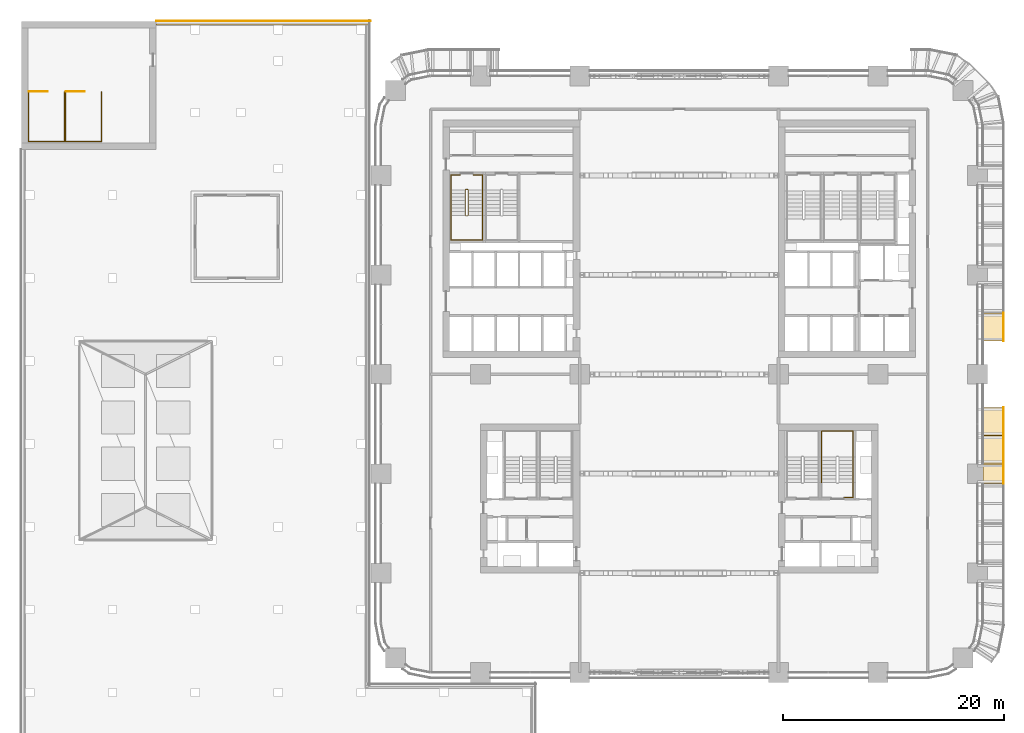
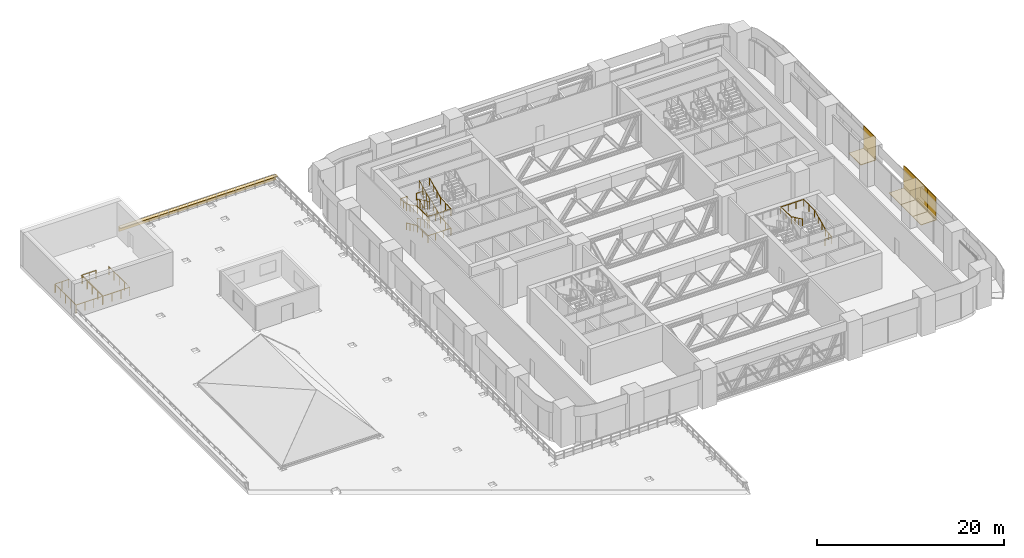
# One storey, part 32 of 35: 10 coverings, 8 railings.
"""IFC4 building model written with IfcOpenShell, lengths in metres."""

from ifc_helpers import new_model, si_unit, direction, frame, origin, origin_2d, place, context, subcontext, project, spatial, polyline, rectangle, circle, outline, extrude, material, layer, layer_set, type_object, element, save


model = new_model("IFC4")

# Units and contexts
model_context = context("Model", 3, precision=1e-05, world=origin(), true_north=direction((0.0, 1.0)))
body_context = subcontext(model_context, "Body", "Model", "MODEL_VIEW")
ifc_project = project(units=[si_unit("LENGTHUNIT", "METRE"), si_unit("AREAUNIT", "SQUARE_METRE"), si_unit("VOLUMEUNIT", "CUBIC_METRE"), si_unit("PLANEANGLEUNIT", "RADIAN"), si_unit("MASSUNIT", "GRAM", prefix="KILO")], contexts=[model_context])

# Site, building, storey
site_placement = place(None, origin())
site = spatial("IfcSite", under=ifc_project, at=site_placement, CompositionType="ELEMENT")
building_placement = place(site_placement, origin())
building = spatial("IfcBuilding", under=site, at=building_placement, Name="Tessera Arch", CompositionType="ELEMENT")
storey_placement = place(building_placement, frame((0.0, 0.0, 26.0)))
storey = spatial("IfcBuildingStorey", under=building, at=storey_placement, Name="L04", CompositionType="ELEMENT", Elevation=26.0)

# Coverings
ifc_material_1 = material(Name="Anodised aluminium pale metal", Category="aluminium")
ifc_layer_1 = layer(ifc_material_1, 0.06005859375)
ifc_layer_set_1 = layer_set([ifc_layer_1], Name="Museum coping pale metal")
covering_type_1 = type_object("IfcCoveringType", Name="Museum coping pale metal", PredefinedType="CLADDING", material=ifc_layer_set_1)
covering_1_placement = place(storey_placement, frame((-10.64501953125, 58.840087890625, 0.599853515625), z_axis=(0.0, 0.0, 1.0), x_axis=(-1.0, 0.0, 0.0)))
element("IfcCovering", 1, at=covering_1_placement, inside=storey, type_object=covering_type_1, Name="Museum parapet coping", PredefinedType="CLADDING", context=body_context, shape_type="SweptSolid", body=[
    extrude(rectangle(XDim=19.409912109375, YDim=0.4599609375, at=origin_2d()), origin(), (0.0, 0.0, 1.0), 0.06005859375),
])
ifc_material_2 = material(Name="Anodised aluminium pale metal", Category="aluminium")
ifc_layer_2 = layer(ifc_material_2, 0.0400390625)
ifc_layer_set_2 = layer_set([ifc_layer_2], Name="Museum parapet fascia pale metal")
covering_type_2 = type_object("IfcCoveringType", Name="Museum parapet fascia pale metal", PredefinedType="CLADDING", material=ifc_layer_set_2)
covering_2_placement = place(storey_placement, frame((-10.64501953125, 58.969970703125, 0.0), z_axis=(0.0, 0.0, 1.0), x_axis=(-1.0, 0.0, 0.0)))
element("IfcCovering", 2, at=covering_2_placement, inside=storey, type_object=covering_type_2, Name="Museum parapet fascia", PredefinedType="CLADDING", context=body_context, shape_type="SweptSolid", body=[
    extrude(rectangle(XDim=19.409912109375, YDim=0.0400390625, at=origin_2d()), origin(), (0.0, 0.0, 1.0), 0.60009765625),
])

# Railings
ifc_material_3 = material(Name="Stainless steel and clear glass", Category="steel")
railing_type_1 = type_object("IfcRailingType", Name="Museum roof guard 1100", PredefinedType="GUARDRAIL", material=ifc_material_3)
railing_1_placement = place(storey_placement, frame((-31.919921875, 52.550048828125, 0.0)))
element("IfcRailing", 3, at=railing_1_placement, inside=storey, type_object=railing_type_1, Name="Stair M1a well guard", PredefinedType="GUARDRAIL", context=body_context, shape_type="SweptSolid", body=[
    extrude(circle(Radius=0.02490234375, at=origin_2d()), frame((0.0, 0.00390625, 1.0751953125), z_axis=(0.0, -1.0, 0.0), x_axis=(1.0, 0.0, 0.0)), (0.0, 0.0, 1.0), 4.47802734375),
    extrude(circle(Radius=0.02490234375, at=origin_2d()), frame((-0.00390625, -4.469970703125, 1.0751953125), z_axis=(1.0, 0.0, 0.0), x_axis=(0.0, 1.0, 0.0)), (0.0, 0.0, 1.0), 3.298095703125),
    extrude(circle(Radius=0.02490234375, at=origin_2d()), frame((3.2900390625, -4.473876953125, 1.0751953125), z_axis=(0.0, 1.0, 0.0), x_axis=(-1.0, 0.0, 0.0)), (0.0, 0.0, 1.0), 4.47802734375),
    extrude(circle(Radius=0.02001953125, at=origin_2d()), origin(), (0.0, 0.0, 1.0), 1.06201171875),
    extrude(circle(Radius=0.02001953125, at=origin_2d()), frame((0.0, -1.117431640625, 0.0)), (0.0, 0.0, 1.0), 1.06201171875),
    extrude(circle(Radius=0.02001953125, at=origin_2d()), frame((0.0, -2.23486328125, 0.0)), (0.0, 0.0, 1.0), 1.06201171875),
    extrude(circle(Radius=0.02001953125, at=origin_2d()), frame((0.0, -3.3525390625, 0.0)), (0.0, 0.0, 1.0), 1.06201171875),
    extrude(circle(Radius=0.02001953125, at=origin_2d()), frame((0.0, -4.469970703125, 0.0)), (0.0, 0.0, 1.0), 1.06201171875),
    extrude(circle(Radius=0.02001953125, at=origin_2d()), frame((1.0966796875, -4.469970703125, 0.0)), (0.0, 0.0, 1.0), 1.06201171875),
    extrude(circle(Radius=0.02001953125, at=origin_2d()), frame((2.193359375, -4.469970703125, 0.0)), (0.0, 0.0, 1.0), 1.06201171875),
    extrude(circle(Radius=0.02001953125, at=origin_2d()), frame((3.2900390625, -4.469970703125, 0.0)), (0.0, 0.0, 1.0), 1.06201171875),
    extrude(circle(Radius=0.02001953125, at=origin_2d()), frame((3.2900390625, -3.3525390625, 0.0)), (0.0, 0.0, 1.0), 1.06201171875),
    extrude(circle(Radius=0.02001953125, at=origin_2d()), frame((3.2900390625, -2.23486328125, 0.0)), (0.0, 0.0, 1.0), 1.06201171875),
    extrude(circle(Radius=0.02001953125, at=origin_2d()), frame((3.2900390625, -1.117431640625, 0.0)), (0.0, 0.0, 1.0), 1.06201171875),
    extrude(circle(Radius=0.02001953125, at=origin_2d()), frame((3.2900390625, 0.0, 0.0)), (0.0, 0.0, 1.0), 1.06201171875),
])
railing_2_placement = place(storey_placement, frame((-28.570068359375, 52.550048828125, 0.0)))
element("IfcRailing", 4, at=railing_2_placement, inside=storey, type_object=railing_type_1, Name="Stair M1b well guard", PredefinedType="GUARDRAIL", context=body_context, shape_type="SweptSolid", body=[
    extrude(circle(Radius=0.02490234375, at=origin_2d()), frame((0.0, 0.00390625, 1.0751953125), z_axis=(0.0, -1.0, 0.0), x_axis=(1.0, 0.0, 0.0)), (0.0, 0.0, 1.0), 4.47802734375),
    extrude(circle(Radius=0.02490234375, at=origin_2d()), frame((-0.00390625, -4.469970703125, 1.0751953125), z_axis=(1.0, 0.0, 0.0), x_axis=(0.0, 1.0, 0.0)), (0.0, 0.0, 1.0), 3.298095703125),
    extrude(circle(Radius=0.02490234375, at=origin_2d()), frame((3.2900390625, -4.473876953125, 1.0751953125), z_axis=(0.0, 1.0, 0.0), x_axis=(-1.0, 0.0, 0.0)), (0.0, 0.0, 1.0), 4.47802734375),
    extrude(circle(Radius=0.02001953125, at=origin_2d()), origin(), (0.0, 0.0, 1.0), 1.06201171875),
    extrude(circle(Radius=0.02001953125, at=origin_2d()), frame((0.0, -1.117431640625, 0.0)), (0.0, 0.0, 1.0), 1.06201171875),
    extrude(circle(Radius=0.02001953125, at=origin_2d()), frame((0.0, -2.23486328125, 0.0)), (0.0, 0.0, 1.0), 1.06201171875),
    extrude(circle(Radius=0.02001953125, at=origin_2d()), frame((0.0, -3.3525390625, 0.0)), (0.0, 0.0, 1.0), 1.06201171875),
    extrude(circle(Radius=0.02001953125, at=origin_2d()), frame((0.0, -4.469970703125, 0.0)), (0.0, 0.0, 1.0), 1.06201171875),
    extrude(circle(Radius=0.02001953125, at=origin_2d()), frame((1.0966796875, -4.469970703125, 0.0)), (0.0, 0.0, 1.0), 1.06201171875),
    extrude(circle(Radius=0.02001953125, at=origin_2d()), frame((2.193359375, -4.469970703125, 0.0)), (0.0, 0.0, 1.0), 1.06201171875),
    extrude(circle(Radius=0.02001953125, at=origin_2d()), frame((3.2900390625, -4.469970703125, 0.0)), (0.0, 0.0, 1.0), 1.06201171875),
    extrude(circle(Radius=0.02001953125, at=origin_2d()), frame((3.2900390625, -3.3525390625, 0.0)), (0.0, 0.0, 1.0), 1.06201171875),
    extrude(circle(Radius=0.02001953125, at=origin_2d()), frame((3.2900390625, -2.23486328125, 0.0)), (0.0, 0.0, 1.0), 1.06201171875),
    extrude(circle(Radius=0.02001953125, at=origin_2d()), frame((3.2900390625, -1.117431640625, 0.0)), (0.0, 0.0, 1.0), 1.06201171875),
    extrude(circle(Radius=0.02001953125, at=origin_2d()), frame((3.2900390625, 0.0, 0.0)), (0.0, 0.0, 1.0), 1.06201171875),
])

# Coverings
ifc_material_4 = material(Name="Anodised aluminium pale metal", Category="aluminium")
ifc_layer_3 = layer(ifc_material_4, 0.080078125)
ifc_layer_set_3 = layer_set([ifc_layer_3], Name="Podium cornice fascia pale metal")
covering_type_3 = type_object("IfcCoveringType", Name="Podium cornice fascia pale metal", PredefinedType="CLADDING", material=ifc_layer_set_3)
covering_3_placement = place(storey_placement, frame((56.360107421875, 18.0, 0.0), z_axis=(0.0, 0.0, 1.0), x_axis=(0.0, 1.0, 0.0)))
element("IfcCovering", 5, at=covering_3_placement, inside=storey, type_object=covering_type_3, Name="Podium cornice fascia 7", PredefinedType="CLADDING", context=body_context, shape_type="SweptSolid", body=[
    extrude(rectangle(XDim=1.800048828125, YDim=0.080078125, at=origin_2d()), origin(), (0.0, 0.0, 1.0), 3.0),
])
for number, where, z_axis, x_axis, name in (
    (6, (56.360107421875, 20.175048828125, 0.0), (0.0, 0.0, 1.0), (0.0, 1.0, 0.0), "Podium cornice fascia 8"),
    (7, (56.360107421875, 22.72509765625, 0.0), (0.0, 0.0, 1.0), (0.0, 1.0, 0.0), "Podium cornice fascia 9"),
    (8, (56.360107421875, 31.27490234375, 0.0), (0.0, 0.0, 1.0), (0.0, 1.0, 0.0), "Podium cornice fascia 10"),
):
    element("IfcCovering", number, at=place(storey_placement, frame(where, z_axis=z_axis, x_axis=x_axis)), inside=storey, type_object=covering_type_3, Name=name, PredefinedType="CLADDING", context=body_context, shape_type="SweptSolid", body=[
        extrude(rectangle(XDim=2.550048828125, YDim=0.080078125, at=origin_2d()), origin(), (0.0, 0.0, 1.0), 3.0),
    ])
ifc_material_5 = material(Name="Anodised aluminium pale metal", Category="aluminium")
ifc_layer_4 = layer(ifc_material_5, 0.080078125)
ifc_layer_set_4 = layer_set([ifc_layer_4], Name="Podium cornice soffit pale metal")
covering_type_4 = type_object("IfcCoveringType", Name="Podium cornice soffit pale metal", PredefinedType="CLADDING", material=ifc_layer_set_4)
covering_4_placement = place(storey_placement, origin())
element("IfcCovering", 9, at=covering_4_placement, inside=storey, type_object=covering_type_4, Name="Podium cornice soffit 7", PredefinedType="CLADDING", context=body_context, shape_type="SweptSolid", body=[
    extrude(outline(polyline([(56.320068359375, 17.10009765625), (56.320068359375, 18.89990234375), (54.510009765625, 18.89990234375), (54.510009765625, 17.10009765625), (56.320068359375, 17.10009765625)])), origin(), (0.0, 0.0, 1.0), 0.080078125),
])
covering_5_placement = place(storey_placement, origin())
element("IfcCovering", 10, at=covering_5_placement, inside=storey, type_object=covering_type_4, Name="Podium cornice soffit 8", PredefinedType="CLADDING", context=body_context, shape_type="SweptSolid", body=[
    extrude(outline(polyline([(56.320068359375, 18.89990234375), (56.320068359375, 21.449951171875), (54.510009765625, 21.449951171875), (54.510009765625, 18.89990234375), (56.320068359375, 18.89990234375)])), origin(), (0.0, 0.0, 1.0), 0.080078125),
])
covering_6_placement = place(storey_placement, origin())
element("IfcCovering", 11, at=covering_6_placement, inside=storey, type_object=covering_type_4, Name="Podium cornice soffit 9", PredefinedType="CLADDING", context=body_context, shape_type="SweptSolid", body=[
    extrude(outline(polyline([(56.320068359375, 21.449951171875), (56.320068359375, 24.0), (54.510009765625, 24.0), (54.510009765625, 21.449951171875), (56.320068359375, 21.449951171875)])), origin(), (0.0, 0.0, 1.0), 0.080078125),
])
covering_7_placement = place(storey_placement, origin())
element("IfcCovering", 12, at=covering_7_placement, inside=storey, type_object=covering_type_4, Name="Podium cornice soffit 10", PredefinedType="CLADDING", context=body_context, shape_type="SweptSolid", body=[
    extrude(outline(polyline([(56.320068359375, 30.0), (56.320068359375, 32.550048828125), (54.510009765625, 32.550048828125), (54.510009765625, 30.0), (56.320068359375, 30.0)])), origin(), (0.0, 0.0, 1.0), 0.080078125),
])

# Railings
ifc_material_6 = material(Name="Painted steel balustrade", Category="steel")
railing_type_2 = type_object("IfcRailingType", Name="Stair guard 1100", PredefinedType="GUARDRAIL", material=ifc_material_6)
railing_3_placement = place(storey_placement, frame((-31.85009765625, 52.60009765625, 0.0)))
element("IfcRailing", 13, at=railing_3_placement, inside=storey, type_object=railing_type_2, Name="L04 M1a top well guard 1", PredefinedType="GUARDRAIL", context=body_context, shape_type="SweptSolid", body=[
    extrude(circle(Radius=0.02392578125, at=origin_2d()), frame((-0.00390625, 0.0, 1.076171875), z_axis=(1.0, 0.0, 0.0), x_axis=(0.0, 1.0, 0.0)), (0.0, 0.0, 1.0), 1.658203125),
    extrude(circle(Radius=0.02099609375, at=origin_2d()), origin(), (0.0, 0.0, 1.0), 1.06396484375),
    extrude(circle(Radius=0.02099609375, at=origin_2d()), frame((0.8251953125, 0.0, 0.0)), (0.0, 0.0, 1.0), 1.06396484375),
    extrude(circle(Radius=0.02099609375, at=origin_2d()), frame((1.650146484375, 0.0, 0.0)), (0.0, 0.0, 1.0), 1.06396484375),
])
railing_4_placement = place(storey_placement, frame((-28.5, 52.60009765625, 0.0)))
element("IfcRailing", 14, at=railing_4_placement, inside=storey, type_object=railing_type_2, Name="L04 M1b top well guard 1", PredefinedType="GUARDRAIL", context=body_context, shape_type="SweptSolid", body=[
    extrude(circle(Radius=0.02392578125, at=origin_2d()), frame((-0.00390625, 0.0, 1.076171875), z_axis=(1.0, 0.0, 0.0), x_axis=(0.0, 1.0, 0.0)), (0.0, 0.0, 1.0), 1.657958984375),
    extrude(circle(Radius=0.02099609375, at=origin_2d()), origin(), (0.0, 0.0, 1.0), 1.06396484375),
    extrude(circle(Radius=0.02099609375, at=origin_2d()), frame((0.824951171875, 0.0, 0.0)), (0.0, 0.0, 1.0), 1.06396484375),
    extrude(circle(Radius=0.02099609375, at=origin_2d()), frame((1.64990234375, 0.0, 0.0)), (0.0, 0.0, 1.0), 1.06396484375),
])
railing_5_placement = place(storey_placement, frame((7.699951171875, 43.75, 0.0)))
element("IfcRailing", 15, at=railing_5_placement, inside=storey, type_object=railing_type_2, Name="L04 S2a stair guard 1", PredefinedType="GUARDRAIL", context=body_context, shape_type="SweptSolid", body=[
    extrude(circle(Radius=0.02392578125, at=origin_2d()), frame((-0.00390625, 0.0, 1.076171875), z_axis=(1.0, 0.0, 0.0), x_axis=(0.0, 1.0, 0.0)), (0.0, 0.0, 1.0), 0.158203125),
    extrude(circle(Radius=0.02392578125, at=origin_2d()), frame((0.1533203125, 0.000732421875, 1.07373046875), z_axis=(-0.773438643492, -0.193359660873, 0.603659429067), x_axis=(0.242535625036, -0.970142500145, 0.0)), (0.0, 0.0, 1.0), 0.266845703125),
    extrude(circle(Radius=0.02392578125, at=origin_2d()), frame((-0.050048828125, -0.04638671875, 1.23046875), z_axis=(0.0, -0.903811734687, 0.427930307694), x_axis=(1.0, 0.0, 0.0)), (0.0, 0.0, 1.0), 2.56396484375),
    extrude(circle(Radius=0.02392578125, at=origin_2d()), frame((-0.052978515625, -2.357177734375, 2.326171875), z_axis=(0.708833529934, -0.705375805398, 0.0), x_axis=(0.705375805398, 0.708833529934, 0.0)), (0.0, 0.0, 1.0), 0.07861328125),
    extrude(circle(Radius=0.02392578125, at=origin_2d()), frame((-0.00390625, -2.409912109375, 2.326171875), z_axis=(1.0, 0.0, 0.0), x_axis=(0.0, 1.0, 0.0)), (0.0, 0.0, 1.0), 0.158203125),
    extrude(circle(Radius=0.02392578125, at=origin_2d()), frame((0.14892578125, -2.4111328125, 2.322509765625), z_axis=(0.290590035384, 0.290590035384, 0.911655012969), x_axis=(-0.707106781187, 0.707106781187, 0.0)), (0.0, 0.0, 1.0), 0.179443359375),
    extrude(circle(Radius=0.02392578125, at=origin_2d()), frame((0.199951171875, -2.36376953125, 2.48046875), z_axis=(0.0, 0.903811734687, 0.427930307694), x_axis=(-1.0, 0.0, 0.0)), (0.0, 0.0, 1.0), 2.56396484375),
    extrude(circle(Radius=0.02392578125, at=origin_2d()), frame((0.203857421875, -0.051025390625, 3.576171875), z_axis=(-0.970072785993, 0.242814311512, 0.0), x_axis=(-0.242814311512, -0.970072785993, 0.0)), (0.0, 0.0, 1.0), 0.214111328125),
    extrude(circle(Radius=0.02392578125, at=origin_2d()), frame((-0.00390625, 0.0, 3.576171875), z_axis=(1.0, 0.0, 0.0), x_axis=(0.0, 1.0, 0.0)), (0.0, 0.0, 1.0), 0.158203125),
    extrude(circle(Radius=0.02392578125, at=origin_2d()), frame((0.1533203125, 0.000732421875, 3.57373046875), z_axis=(-0.773438643492, -0.193359660873, 0.603659429067), x_axis=(0.242535625036, -0.970142500145, 0.0)), (0.0, 0.0, 1.0), 0.266845703125),
    extrude(circle(Radius=0.02392578125, at=origin_2d()), frame((-0.050048828125, -0.04638671875, 3.73046875), z_axis=(0.0, -0.903811734687, 0.427930307694), x_axis=(1.0, 0.0, 0.0)), (0.0, 0.0, 1.0), 2.56396484375),
    extrude(circle(Radius=0.02392578125, at=origin_2d()), frame((-0.052978515625, -2.357177734375, 4.826171875), z_axis=(0.708833529934, -0.705375805398, 0.0), x_axis=(0.705375805398, 0.708833529934, 0.0)), (0.0, 0.0, 1.0), 0.07861328125),
    extrude(circle(Radius=0.02392578125, at=origin_2d()), frame((-0.00390625, -2.409912109375, 4.826171875), z_axis=(1.0, 0.0, 0.0), x_axis=(0.0, 1.0, 0.0)), (0.0, 0.0, 1.0), 0.158203125),
    extrude(circle(Radius=0.02392578125, at=origin_2d()), frame((0.14892578125, -2.4111328125, 4.822509765625), z_axis=(0.290590035384, 0.290590035384, 0.911655012969), x_axis=(-0.707106781187, 0.707106781187, 0.0)), (0.0, 0.0, 1.0), 0.179443359375),
    extrude(circle(Radius=0.02392578125, at=origin_2d()), frame((0.199951171875, -2.36376953125, 4.98046875), z_axis=(0.0, 0.903811734687, 0.427930307694), x_axis=(-1.0, 0.0, 0.0)), (0.0, 0.0, 1.0), 2.56396484375),
    extrude(circle(Radius=0.02099609375, at=origin_2d()), origin(), (0.0, 0.0, 1.0), 1.06396484375),
    extrude(circle(Radius=0.02099609375, at=origin_2d()), frame((0.150146484375, 0.0, 0.0)), (0.0, 0.0, 1.0), 1.06396484375),
    extrude(circle(Radius=0.02099609375, at=origin_2d()), frame((-0.050048828125, -0.050048828125, 0.15625)), (0.0, 0.0, 1.0), 1.06396484375),
    extrude(circle(Radius=0.02099609375, at=origin_2d()), frame((-0.050048828125, -0.820068359375, 0.520751953125)), (0.0, 0.0, 1.0), 1.06396484375),
    extrude(circle(Radius=0.02099609375, at=origin_2d()), frame((-0.050048828125, -1.590087890625, 0.885498046875)), (0.0, 0.0, 1.0), 1.06396484375),
    extrude(circle(Radius=0.02099609375, at=origin_2d()), frame((-0.050048828125, -2.360107421875, 1.25)), (0.0, 0.0, 1.0), 1.06396484375),
    extrude(circle(Radius=0.02099609375, at=origin_2d()), frame((0.0, -2.409912109375, 1.25)), (0.0, 0.0, 1.0), 1.06396484375),
    extrude(circle(Radius=0.02099609375, at=origin_2d()), frame((0.150146484375, -2.409912109375, 1.25)), (0.0, 0.0, 1.0), 1.06396484375),
    extrude(circle(Radius=0.02099609375, at=origin_2d()), frame((0.199951171875, -2.360107421875, 1.40625)), (0.0, 0.0, 1.0), 1.06396484375),
    extrude(circle(Radius=0.02099609375, at=origin_2d()), frame((0.199951171875, -1.590087890625, 1.770751953125)), (0.0, 0.0, 1.0), 1.06396484375),
    extrude(circle(Radius=0.02099609375, at=origin_2d()), frame((0.199951171875, -0.820068359375, 2.135498046875)), (0.0, 0.0, 1.0), 1.06396484375),
    extrude(circle(Radius=0.02099609375, at=origin_2d()), frame((0.199951171875, -0.050048828125, 2.5)), (0.0, 0.0, 1.0), 1.06396484375),
    extrude(circle(Radius=0.02099609375, at=origin_2d()), frame((0.0, 0.0, 2.5)), (0.0, 0.0, 1.0), 1.06396484375),
    extrude(circle(Radius=0.02099609375, at=origin_2d()), frame((0.150146484375, 0.0, 2.5)), (0.0, 0.0, 1.0), 1.06396484375),
    extrude(circle(Radius=0.02099609375, at=origin_2d()), frame((-0.050048828125, -0.050048828125, 2.65625)), (0.0, 0.0, 1.0), 1.06396484375),
    extrude(circle(Radius=0.02099609375, at=origin_2d()), frame((-0.050048828125, -0.820068359375, 3.020751953125)), (0.0, 0.0, 1.0), 1.06396484375),
    extrude(circle(Radius=0.02099609375, at=origin_2d()), frame((-0.050048828125, -1.590087890625, 3.385498046875)), (0.0, 0.0, 1.0), 1.06396484375),
    extrude(circle(Radius=0.02099609375, at=origin_2d()), frame((-0.050048828125, -2.360107421875, 3.75)), (0.0, 0.0, 1.0), 1.06396484375),
    extrude(circle(Radius=0.02099609375, at=origin_2d()), frame((0.0, -2.409912109375, 3.75)), (0.0, 0.0, 1.0), 1.06396484375),
    extrude(circle(Radius=0.02099609375, at=origin_2d()), frame((0.150146484375, -2.409912109375, 3.75)), (0.0, 0.0, 1.0), 1.06396484375),
    extrude(circle(Radius=0.02099609375, at=origin_2d()), frame((0.199951171875, -2.360107421875, 3.90625)), (0.0, 0.0, 1.0), 1.06396484375),
    extrude(circle(Radius=0.02099609375, at=origin_2d()), frame((0.199951171875, -1.590087890625, 4.270751953125)), (0.0, 0.0, 1.0), 1.06396484375),
    extrude(circle(Radius=0.02099609375, at=origin_2d()), frame((0.199951171875, -0.820068359375, 4.635498046875)), (0.0, 0.0, 1.0), 1.06396484375),
    extrude(circle(Radius=0.02099609375, at=origin_2d()), frame((0.199951171875, -0.050048828125, 5.0)), (0.0, 0.0, 1.0), 1.06396484375),
])
ifc_material_7 = material(Name="Painted steel handrail", Category="steel")
railing_type_3 = type_object("IfcRailingType", Name="Stair handrail 900", PredefinedType="HANDRAIL", material=ifc_material_7)
railing_6_placement = place(storey_placement, frame((6.35009765625, 43.699951171875, 0.15625)))
element("IfcRailing", 16, at=railing_6_placement, inside=storey, type_object=railing_type_3, Name="L04 S2a stair handrail", PredefinedType="HANDRAIL", context=body_context, shape_type="SweptSolid", body=[
    extrude(circle(Radius=0.02392578125, at=origin_2d()), frame((0.0, 0.003662109375, 0.8740234375), z_axis=(0.0, -0.903811734687, 0.427930307694), x_axis=(1.0, 0.0, 0.0)), (0.0, 0.0, 1.0), 2.56396484375),
    extrude(circle(Radius=0.02392578125, at=origin_2d()), frame((0.0, -2.30615234375, 1.9697265625), z_axis=(0.0, -1.0, 0.0), x_axis=(1.0, 0.0, 0.0)), (0.0, 0.0, 1.0), 2.248046875),
    extrude(circle(Radius=0.02392578125, at=origin_2d()), frame((-0.00390625, -4.550048828125, 1.9697265625), z_axis=(1.0, 0.0, 0.0), x_axis=(0.0, 1.0, 0.0)), (0.0, 0.0, 1.0), 2.85791015625),
    extrude(circle(Radius=0.02392578125, at=origin_2d()), frame((2.849853515625, -4.553955078125, 1.96923828125), z_axis=(0.0, 0.997575978536, 0.069585681337), x_axis=(-1.0, 0.0, 0.0)), (0.0, 0.0, 1.0), 2.25341796875),
    extrude(circle(Radius=0.02392578125, at=origin_2d()), frame((2.849853515625, -2.313720703125, 2.1240234375), z_axis=(0.0, 0.903811734687, 0.427930307694), x_axis=(-1.0, 0.0, 0.0)), (0.0, 0.0, 1.0), 2.56396484375),
    extrude(circle(Radius=0.02392578125, at=origin_2d()), frame((2.849853515625, -0.00390625, 3.2197265625), z_axis=(0.0, 1.0, 0.0), x_axis=(-1.0, 0.0, 0.0)), (0.0, 0.0, 1.0), 1.358154296875),
    extrude(circle(Radius=0.02392578125, at=origin_2d()), frame((2.853759765625, 1.35009765625, 3.2197265625), z_axis=(-1.0, 0.0, 0.0), x_axis=(0.0, -1.0, 0.0)), (0.0, 0.0, 1.0), 0.8330078125),
    extrude(circle(Radius=0.02099609375, at=origin_2d()), origin(), (0.0, 0.0, 1.0), 0.86376953125),
    extrude(circle(Radius=0.02099609375, at=origin_2d()), frame((0.0, -0.77001953125, 0.364501953125)), (0.0, 0.0, 1.0), 0.86376953125),
    extrude(circle(Radius=0.02099609375, at=origin_2d()), frame((0.0, -1.5400390625, 0.729248046875)), (0.0, 0.0, 1.0), 0.86376953125),
    extrude(circle(Radius=0.02099609375, at=origin_2d()), frame((0.0, -2.31005859375, 1.09375)), (0.0, 0.0, 1.0), 0.86376953125),
    extrude(circle(Radius=0.02099609375, at=origin_2d()), frame((0.0, -3.43017578125, 1.09375)), (0.0, 0.0, 1.0), 0.86376953125),
    extrude(circle(Radius=0.02099609375, at=origin_2d()), frame((0.0, -4.550048828125, 1.09375)), (0.0, 0.0, 1.0), 0.86376953125),
    extrude(circle(Radius=0.02099609375, at=origin_2d()), frame((0.949951171875, -4.550048828125, 1.09375)), (0.0, 0.0, 1.0), 0.86376953125),
    extrude(circle(Radius=0.02099609375, at=origin_2d()), frame((1.89990234375, -4.550048828125, 1.09375)), (0.0, 0.0, 1.0), 0.86376953125),
    extrude(circle(Radius=0.02099609375, at=origin_2d()), frame((2.849853515625, -4.550048828125, 1.09375)), (0.0, 0.0, 1.0), 0.86376953125),
    extrude(circle(Radius=0.02099609375, at=origin_2d()), frame((2.849853515625, -3.43017578125, 1.171875)), (0.0, 0.0, 1.0), 0.86376953125),
    extrude(circle(Radius=0.02099609375, at=origin_2d()), frame((2.849853515625, -2.31005859375, 1.25)), (0.0, 0.0, 1.0), 0.86376953125),
    extrude(circle(Radius=0.02099609375, at=origin_2d()), frame((2.849853515625, -1.5400390625, 1.614501953125)), (0.0, 0.0, 1.0), 0.86376953125),
    extrude(circle(Radius=0.02099609375, at=origin_2d()), frame((2.849853515625, -0.77001953125, 1.979248046875)), (0.0, 0.0, 1.0), 0.86376953125),
    extrude(circle(Radius=0.02099609375, at=origin_2d()), frame((2.849853515625, 0.0, 2.34375)), (0.0, 0.0, 1.0), 0.86376953125),
    extrude(circle(Radius=0.02099609375, at=origin_2d()), frame((2.849853515625, 0.675048828125, 2.34375)), (0.0, 0.0, 1.0), 0.86376953125),
    extrude(circle(Radius=0.02099609375, at=origin_2d()), frame((2.849853515625, 1.35009765625, 2.34375)), (0.0, 0.0, 1.0), 0.86376953125),
    extrude(circle(Radius=0.02099609375, at=origin_2d()), frame((2.02490234375, 1.35009765625, 2.34375)), (0.0, 0.0, 1.0), 0.86376953125),
])
railing_7_placement = place(storey_placement, frame((7.175048828125, 45.050048828125, 2.5)))
element("IfcRailing", 17, at=railing_7_placement, inside=storey, type_object=railing_type_3, Name="L04 S2a stair handrail 2", PredefinedType="HANDRAIL", context=body_context, shape_type="SweptSolid", body=[
    extrude(circle(Radius=0.02392578125, at=origin_2d()), frame((0.00390625, 0.0, 0.8759765625), z_axis=(-1.0, 0.0, 0.0), x_axis=(0.0, -1.0, 0.0)), (0.0, 0.0, 1.0), 0.8330078125),
    extrude(circle(Radius=0.02392578125, at=origin_2d()), frame((-0.824951171875, 0.00390625, 0.87548828125), z_axis=(0.0, -0.99336954172, 0.114965010253), x_axis=(1.0, 0.0, 0.0)), (0.0, 0.0, 1.0), 1.3671875),
    extrude(circle(Radius=0.02392578125, at=origin_2d()), frame((-0.824951171875, -1.346435546875, 1.0302734375), z_axis=(0.0, -0.903811734687, 0.427930307694), x_axis=(1.0, 0.0, 0.0)), (0.0, 0.0, 1.0), 2.56396484375),
    extrude(circle(Radius=0.02392578125, at=origin_2d()), frame((-0.824951171875, -3.65625, 2.1259765625), z_axis=(0.0, -1.0, 0.0), x_axis=(1.0, 0.0, 0.0)), (0.0, 0.0, 1.0), 2.248046875),
    extrude(circle(Radius=0.02392578125, at=origin_2d()), frame((-0.828857421875, -5.900146484375, 2.1259765625), z_axis=(1.0, 0.0, 0.0), x_axis=(0.0, 1.0, 0.0)), (0.0, 0.0, 1.0), 2.85791015625),
    extrude(circle(Radius=0.02392578125, at=origin_2d()), frame((2.02490234375, -5.904052734375, 2.12548828125), z_axis=(0.0, 0.997575978536, 0.069585681337), x_axis=(-1.0, 0.0, 0.0)), (0.0, 0.0, 1.0), 2.25341796875),
    extrude(circle(Radius=0.02392578125, at=origin_2d()), frame((2.02490234375, -3.663818359375, 2.2802734375), z_axis=(0.0, 0.903811734687, 0.427930307694), x_axis=(-1.0, 0.0, 0.0)), (0.0, 0.0, 1.0), 2.56396484375),
    extrude(circle(Radius=0.02099609375, at=origin_2d()), origin(), (0.0, 0.0, 1.0), 0.86376953125),
    extrude(circle(Radius=0.02099609375, at=origin_2d()), frame((-0.824951171875, 0.0, 0.0)), (0.0, 0.0, 1.0), 0.86376953125),
    extrude(circle(Radius=0.02099609375, at=origin_2d()), frame((-0.824951171875, -0.675048828125, 0.078125)), (0.0, 0.0, 1.0), 0.86376953125),
    extrude(circle(Radius=0.02099609375, at=origin_2d()), frame((-0.824951171875, -1.35009765625, 0.15625)), (0.0, 0.0, 1.0), 0.86376953125),
    extrude(circle(Radius=0.02099609375, at=origin_2d()), frame((-0.824951171875, -2.1201171875, 0.520751953125)), (0.0, 0.0, 1.0), 0.86376953125),
    extrude(circle(Radius=0.02099609375, at=origin_2d()), frame((-0.824951171875, -2.89013671875, 0.885498046875)), (0.0, 0.0, 1.0), 0.86376953125),
    extrude(circle(Radius=0.02099609375, at=origin_2d()), frame((-0.824951171875, -3.66015625, 1.25)), (0.0, 0.0, 1.0), 0.86376953125),
    extrude(circle(Radius=0.02099609375, at=origin_2d()), frame((-0.824951171875, -4.7802734375, 1.25)), (0.0, 0.0, 1.0), 0.86376953125),
    extrude(circle(Radius=0.02099609375, at=origin_2d()), frame((-0.824951171875, -5.900146484375, 1.25)), (0.0, 0.0, 1.0), 0.86376953125),
    extrude(circle(Radius=0.02099609375, at=origin_2d()), frame((0.125, -5.900146484375, 1.25)), (0.0, 0.0, 1.0), 0.86376953125),
    extrude(circle(Radius=0.02099609375, at=origin_2d()), frame((1.074951171875, -5.900146484375, 1.25)), (0.0, 0.0, 1.0), 0.86376953125),
    extrude(circle(Radius=0.02099609375, at=origin_2d()), frame((2.02490234375, -5.900146484375, 1.25)), (0.0, 0.0, 1.0), 0.86376953125),
    extrude(circle(Radius=0.02099609375, at=origin_2d()), frame((2.02490234375, -4.7802734375, 1.328125)), (0.0, 0.0, 1.0), 0.86376953125),
    extrude(circle(Radius=0.02099609375, at=origin_2d()), frame((2.02490234375, -3.66015625, 1.40625)), (0.0, 0.0, 1.0), 0.86376953125),
    extrude(circle(Radius=0.02099609375, at=origin_2d()), frame((2.02490234375, -2.89013671875, 1.770751953125)), (0.0, 0.0, 1.0), 0.86376953125),
    extrude(circle(Radius=0.02099609375, at=origin_2d()), frame((2.02490234375, -2.1201171875, 2.135498046875)), (0.0, 0.0, 1.0), 0.86376953125),
    extrude(circle(Radius=0.02099609375, at=origin_2d()), frame((2.02490234375, -1.35009765625, 2.5)), (0.0, 0.0, 1.0), 0.86376953125),
])
railing_8_placement = place(storey_placement, frame((41.925048828125, 15.85009765625, 2.5)))
element("IfcRailing", 18, at=railing_8_placement, inside=storey, type_object=railing_type_3, Name="L04 S3b stair handrail 2", PredefinedType="HANDRAIL", context=body_context, shape_type="SweptSolid", body=[
    extrude(circle(Radius=0.02392578125, at=origin_2d()), frame((-0.00390625, 0.0, 0.8759765625), z_axis=(1.0, 0.0, 0.0), x_axis=(0.0, 1.0, 0.0)), (0.0, 0.0, 1.0), 0.8330078125),
    extrude(circle(Radius=0.02392578125, at=origin_2d()), frame((0.824951171875, -0.00390625, 0.87548828125), z_axis=(0.0, 0.993367166886, 0.114985528451), x_axis=(-1.0, 0.0, 0.0)), (0.0, 0.0, 1.0), 1.366943359375),
    extrude(circle(Radius=0.02392578125, at=origin_2d()), frame((0.824951171875, 1.34619140625, 1.0302734375), z_axis=(0.0, 0.903811734687, 0.427930307694), x_axis=(-1.0, 0.0, 0.0)), (0.0, 0.0, 1.0), 2.56396484375),
    extrude(circle(Radius=0.02392578125, at=origin_2d()), frame((0.824951171875, 3.656005859375, 2.1259765625), z_axis=(0.0, 1.0, 0.0), x_axis=(-1.0, 0.0, 0.0)), (0.0, 0.0, 1.0), 2.34814453125),
    extrude(circle(Radius=0.02392578125, at=origin_2d()), frame((0.828857421875, 6.0, 2.1259765625), z_axis=(-1.0, 0.0, 0.0), x_axis=(0.0, -1.0, 0.0)), (0.0, 0.0, 1.0), 2.858154296875),
    extrude(circle(Radius=0.02392578125, at=origin_2d()), frame((-2.025146484375, 6.00390625, 2.12548828125), z_axis=(0.0, -0.997778243323, 0.066622647441), x_axis=(1.0, 0.0, 0.0)), (0.0, 0.0, 1.0), 2.353271484375),
    extrude(circle(Radius=0.02392578125, at=origin_2d()), frame((-2.025146484375, 3.66357421875, 2.2802734375), z_axis=(0.0, -0.903811734687, 0.427930307694), x_axis=(1.0, 0.0, 0.0)), (0.0, 0.0, 1.0), 2.56396484375),
    extrude(circle(Radius=0.02099609375, at=origin_2d()), origin(), (0.0, 0.0, 1.0), 0.86376953125),
    extrude(circle(Radius=0.02099609375, at=origin_2d()), frame((0.824951171875, 0.0, 0.0)), (0.0, 0.0, 1.0), 0.86376953125),
    extrude(circle(Radius=0.02099609375, at=origin_2d()), frame((0.824951171875, 0.6748046875, 0.078125)), (0.0, 0.0, 1.0), 0.86376953125),
    extrude(circle(Radius=0.02099609375, at=origin_2d()), frame((0.824951171875, 1.349853515625, 0.15625)), (0.0, 0.0, 1.0), 0.86376953125),
    extrude(circle(Radius=0.02099609375, at=origin_2d()), frame((0.824951171875, 2.119873046875, 0.520751953125)), (0.0, 0.0, 1.0), 0.86376953125),
    extrude(circle(Radius=0.02099609375, at=origin_2d()), frame((0.824951171875, 2.889892578125, 0.885498046875)), (0.0, 0.0, 1.0), 0.86376953125),
    extrude(circle(Radius=0.02099609375, at=origin_2d()), frame((0.824951171875, 3.659912109375, 1.25)), (0.0, 0.0, 1.0), 0.86376953125),
    extrude(circle(Radius=0.02099609375, at=origin_2d()), frame((0.824951171875, 4.830078125, 1.25)), (0.0, 0.0, 1.0), 0.86376953125),
    extrude(circle(Radius=0.02099609375, at=origin_2d()), frame((0.824951171875, 6.0, 1.25)), (0.0, 0.0, 1.0), 0.86376953125),
    extrude(circle(Radius=0.02099609375, at=origin_2d()), frame((-0.125, 6.0, 1.25)), (0.0, 0.0, 1.0), 0.86376953125),
    extrude(circle(Radius=0.02099609375, at=origin_2d()), frame((-1.0751953125, 6.0, 1.25)), (0.0, 0.0, 1.0), 0.86376953125),
    extrude(circle(Radius=0.02099609375, at=origin_2d()), frame((-2.025146484375, 6.0, 1.25)), (0.0, 0.0, 1.0), 0.86376953125),
    extrude(circle(Radius=0.02099609375, at=origin_2d()), frame((-2.025146484375, 4.830078125, 1.328125)), (0.0, 0.0, 1.0), 0.86376953125),
    extrude(circle(Radius=0.02099609375, at=origin_2d()), frame((-2.025146484375, 3.659912109375, 1.40625)), (0.0, 0.0, 1.0), 0.86376953125),
    extrude(circle(Radius=0.02099609375, at=origin_2d()), frame((-2.025146484375, 2.889892578125, 1.770751953125)), (0.0, 0.0, 1.0), 0.86376953125),
    extrude(circle(Radius=0.02099609375, at=origin_2d()), frame((-2.025146484375, 2.119873046875, 2.135498046875)), (0.0, 0.0, 1.0), 0.86376953125),
    extrude(circle(Radius=0.02099609375, at=origin_2d()), frame((-2.025146484375, 1.349853515625, 2.5)), (0.0, 0.0, 1.0), 0.86376953125),
])

save(model, "model.ifc")
